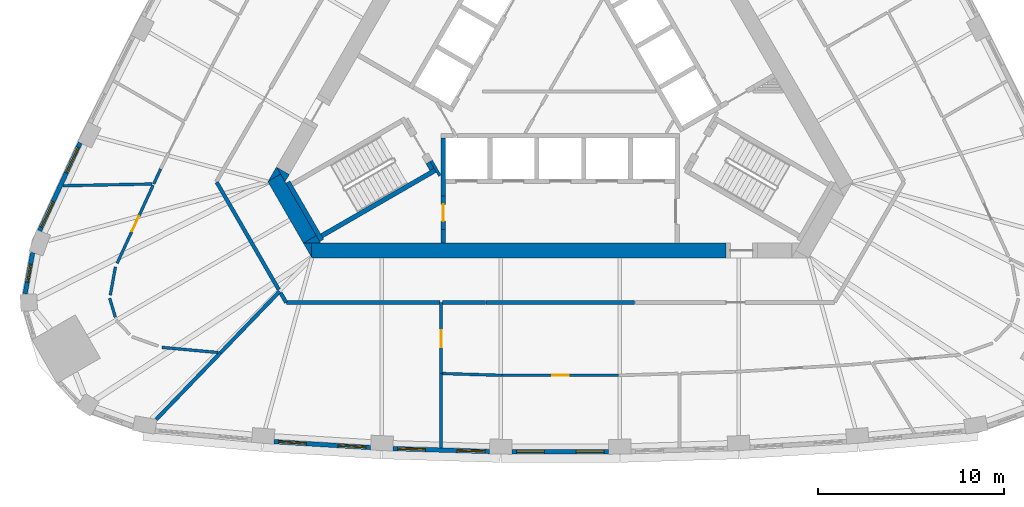
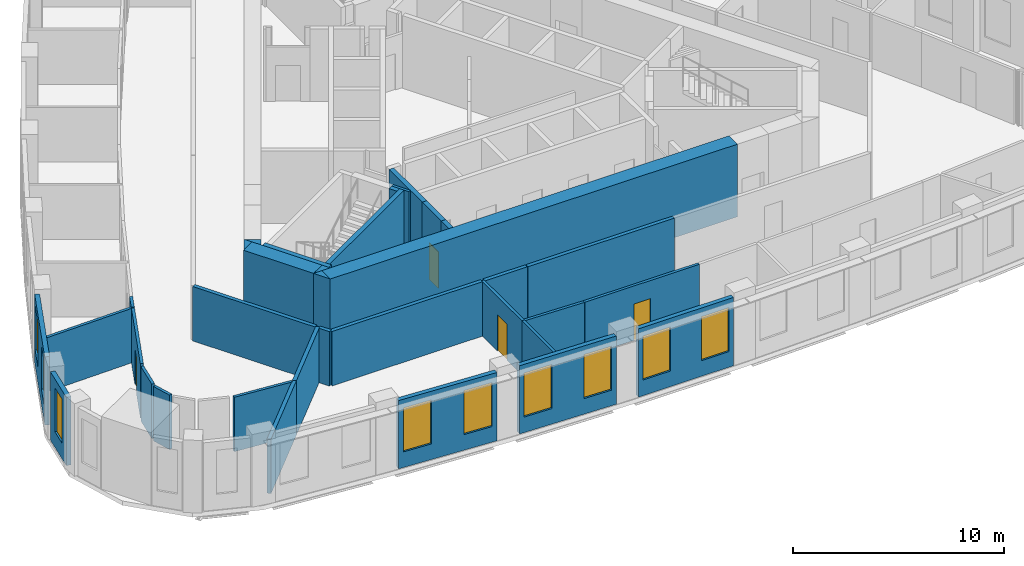
# One storey, part 3 of 11: 35 walls, 9 windows, 4 doors, 13 openings.
"""IFC4 building model written with IfcOpenShell, lengths in metres."""

from ifc_helpers import new_model, si_unit, direction, frame, frame_2d, origin, place, context, subcontext, project, spatial, polyline, rectangle, outline, extrude, material, layer, layer_set, type_object, element, fill, save


model = new_model("IFC4")

# Units and contexts
model_context = context("Model", 3, precision=1e-05, world=origin(), true_north=direction((0.0, 1.0)))
body_context = subcontext(model_context, "Body", "Model", "MODEL_VIEW")
ifc_project = project(units=[si_unit("LENGTHUNIT", "METRE"), si_unit("AREAUNIT", "SQUARE_METRE"), si_unit("VOLUMEUNIT", "CUBIC_METRE"), si_unit("PLANEANGLEUNIT", "RADIAN"), si_unit("MASSUNIT", "GRAM", prefix="KILO")], contexts=[model_context])

# Site, building, storey
site_placement = place(None, origin())
site = spatial("IfcSite", under=ifc_project, at=site_placement, CompositionType="ELEMENT")
building_placement = place(site_placement, origin())
building = spatial("IfcBuilding", under=site, at=building_placement, Name="Mestral Congress Tower", CompositionType="ELEMENT")
storey_placement = place(building_placement, frame((0.0, 0.0, 166.800048828125)))
storey = spatial("IfcBuildingStorey", under=building, at=storey_placement, Name="L39", CompositionType="ELEMENT", Elevation=166.800048828125)

# Walls
ifc_material_1 = material(Name="Concrete C60/75", Category="concrete")
ifc_layer_1 = layer(ifc_material_1, 0.800048828125)
ifc_layer_set_1 = layer_set([ifc_layer_1], Name="Concrete C60/75")
wall_type_1 = type_object("IfcWallType", Name="Core wall RC 800", PredefinedType="SOLIDWALL", material=ifc_layer_set_1)
wall_1_placement = place(storey_placement, frame((-13.377685546875, -10.050048828125, 0.0), z_axis=(0.0, 0.0, 1.0), x_axis=(1.0, 0.0, 0.0)))
element("IfcWall", 1, at=wall_1_placement, inside=storey, type_object=wall_type_1, Name="L39 core wall", PredefinedType="SOLIDWALL", context=body_context, shape_type="SweptSolid", body=[
    extrude(rectangle(XDim=22.281982421875, YDim=0.800048828125, at=frame_2d((11.14111328125, 0.0))), origin(), (0.0, 0.0, 1.0), 4.199951171875),
])
placement = place(storey_placement, origin())
element("IfcWall", 2, at=placement, inside=storey, type_object=wall_type_1, Name="L39 core wall", PredefinedType="SOLIDWALL", context=body_context, shape_type="SweptSolid", body=[
    extrude(outline(polyline([(-13.82763671875, -9.64990234375), (-13.379638671875, -9.64990234375), (-13.379638671875, -10.42578125), (-13.82763671875, -9.64990234375)])), origin(), (0.0, 0.0, 1.0), 4.199951171875),
])
wall_3_placement = place(storey_placement, frame((-15.392333984375, -6.1396484375, 0.0), z_axis=(0.0, 0.0, 1.0), x_axis=(0.499984020225, -0.866034629516, 0.0)))
element("IfcWall", 3, at=wall_3_placement, inside=storey, type_object=wall_type_1, Name="L39 core wall", PredefinedType="SOLIDWALL", context=body_context, shape_type="SweptSolid", body=[
    extrude(rectangle(XDim=3.824462890625, YDim=0.800048828125, at=frame_2d((1.912109375, 0.0))), origin(), (0.0, 0.0, 1.0), 4.199951171875),
])
element("IfcWall", 4, at=placement, inside=storey, type_object=wall_type_1, Name="L39 core wall", PredefinedType="SOLIDWALL", context=body_context, shape_type="SweptSolid", body=[
    extrude(outline(polyline([(-15.046875, -5.93798828125), (-15.718994140625, -6.325927734375), (-15.27099609375, -5.550048828125), (-15.046875, -5.93798828125)])), origin(), (0.0, 0.0, 1.0), 4.199951171875),
])
element("IfcWall", 5, at=placement, inside=storey, type_object=wall_type_1, Name="L39 core wall", PredefinedType="SOLIDWALL", context=body_context, shape_type="SweptSolid", body=[
    extrude(outline(polyline([(-12.90380859375, -9.64990234375), (-13.81982421875, -9.64990234375), (-13.1328125, -9.25341796875), (-12.90380859375, -9.64990234375)])), origin(), (0.0, 0.0, 1.0), 4.199951171875),
])
element("IfcWall", 6, at=placement, inside=storey, type_object=wall_type_1, Name="L39 core wall", PredefinedType="SOLIDWALL", context=body_context, shape_type="SweptSolid", body=[
    extrude(outline(polyline([(-14.80908203125, -6.35009765625), (-15.257080078125, -5.573974609375), (-14.5849609375, -5.9619140625), (-14.80908203125, -6.35009765625)])), origin(), (0.0, 0.0, 1.0), 4.199951171875),
])

# Wall, openings, windows
ifc_material_2 = material(Name="Precast concrete C40/50 with limestone facing", Category="masonry")
ifc_layer_2 = layer(ifc_material_2, 0.239990234375)
ifc_layer_set_2 = layer_set([ifc_layer_2], Name="Precast concrete C40/50 with limestone facing")
wall_type_2 = type_object("IfcWallType", Name="Facade stone wall 240", PredefinedType="SOLIDWALL", material=ifc_layer_set_2)
wall_7_placement = place(storey_placement, frame((-15.404541015625, -20.33837890625, 0.0), z_axis=(0.0, 0.0, 1.0), x_axis=(0.998135294646, -0.061040425794, 0.0)))
wall_7 = element("IfcWall", 7, at=wall_7_placement, inside=storey, type_object=wall_type_2, Name="Facade wall F0-01", PredefinedType="SOLIDWALL", context=body_context, shape_type="SweptSolid", body=[
    extrude(rectangle(XDim=5.20361328125, YDim=0.239990234375, at=frame_2d((2.601806640625, 0.0))), origin(), (0.0, 0.0, 1.0), 3.949951171875),
])
opening_1_placement = place(wall_7_placement, frame((0.248291015625, 0.0, 0.89990234375)))
opening_1 = element("IfcOpeningElement", 8, at=opening_1_placement, cuts=wall_7, Name="Opening W4", PredefinedType="OPENING", context=body_context, shape_type="SweptSolid", body=[
    extrude(rectangle(XDim=1.5, YDim=2.550048828125, at=frame_2d((0.75, 1.27490234375))), frame((0.0, 0.1298828125, 0.0), z_axis=(0.0, -1.0, 0.0), x_axis=(1.0, 0.0, 0.0)), (0.0, 0.0, 1.0), 0.260009765625),
])
opening_2_placement = place(wall_7_placement, frame((3.455078125, 0.0, 0.89990234375)))
opening_2 = element("IfcOpeningElement", 9, at=opening_2_placement, cuts=wall_7, Name="Opening W4", PredefinedType="OPENING", context=body_context, shape_type="SweptSolid", body=[
    extrude(rectangle(XDim=1.5, YDim=2.550048828125, at=frame_2d((0.75, 1.27490234375))), frame((0.0, 0.1298828125, 0.0), z_axis=(0.0, -1.0, 0.0), x_axis=(1.0, 0.0, 0.0)), (0.0, 0.0, 1.0), 0.260009765625),
])
ifc_material_3 = material(Name="Clear low-emissivity double glazing", Category="glass")
window_type_1 = type_object("IfcWindowType", Name="Facade punched window 1500 x 2550 sill 900", PartitioningType="SINGLE_PANEL", PredefinedType="WINDOW", material=ifc_material_3)
window_1_placement = place(opening_1_placement, origin())
window_1 = element("IfcWindow", 10, at=window_1_placement, inside=storey, type_object=window_type_1, Name="Window F0-01a", OverallHeight=2.550048828125, OverallWidth=1.5, PartitioningType="SINGLE_PANEL", PredefinedType="WINDOW", context=body_context, shape_type="SweptSolid", body=[
    extrude(rectangle(XDim=1.5, YDim=2.550048828125, at=frame_2d((0.75, 1.27490234375))), frame((0.0, 0.0400390625, 0.0), z_axis=(0.0, -1.0, 0.0), x_axis=(1.0, 0.0, 0.0)), (0.0, 0.0, 1.0), 0.06005859375),
])
fill(opening_1, window_1)
window_2_placement = place(opening_2_placement, origin())
window_2 = element("IfcWindow", 11, at=window_2_placement, inside=storey, type_object=window_type_1, Name="Window F0-01b", OverallHeight=2.550048828125, OverallWidth=1.5, PartitioningType="SINGLE_PANEL", PredefinedType="WINDOW", context=body_context, shape_type="SweptSolid", body=[
    extrude(rectangle(XDim=1.5, YDim=2.550048828125, at=frame_2d((0.75, 1.27490234375))), frame((0.0, 0.0400390625, 0.0), z_axis=(0.0, -1.0, 0.0), x_axis=(1.0, 0.0, 0.0)), (0.0, 0.0, 1.0), 0.06005859375),
])
fill(opening_2, window_2)

wall_8_placement = place(storey_placement, frame((-9.00732421875, -20.7109375, 0.0), z_axis=(0.0, 0.0, 1.0), x_axis=(0.999533441983, -0.030543384845, 0.0)))
wall_8 = element("IfcWall", 12, at=wall_8_placement, inside=storey, type_object=wall_type_2, Name="Facade wall F0-02", PredefinedType="SOLIDWALL", context=body_context, shape_type="SweptSolid", body=[
    extrude(rectangle(XDim=5.20361328125, YDim=0.239990234375, at=frame_2d((2.601806640625, 0.0))), origin(), (0.0, 0.0, 1.0), 3.949951171875),
])
opening_3_placement = place(wall_8_placement, frame((0.248291015625, 0.0, 0.89990234375)))
opening_3 = element("IfcOpeningElement", 13, at=opening_3_placement, cuts=wall_8, Name="Opening W4", PredefinedType="OPENING", context=body_context, shape_type="SweptSolid", body=[
    extrude(rectangle(XDim=1.5, YDim=2.550048828125, at=frame_2d((0.75, 1.27490234375))), frame((0.0, 0.1298828125, 0.0), z_axis=(0.0, -1.0, 0.0), x_axis=(1.0, 0.0, 0.0)), (0.0, 0.0, 1.0), 0.260009765625),
])
opening_4_placement = place(wall_8_placement, frame((3.455078125, 0.0, 0.89990234375)))
opening_4 = element("IfcOpeningElement", 14, at=opening_4_placement, cuts=wall_8, Name="Opening W4", PredefinedType="OPENING", context=body_context, shape_type="SweptSolid", body=[
    extrude(rectangle(XDim=1.5, YDim=2.550048828125, at=frame_2d((0.75, 1.27490234375))), frame((0.0, 0.1298828125, 0.0), z_axis=(0.0, -1.0, 0.0), x_axis=(1.0, 0.0, 0.0)), (0.0, 0.0, 1.0), 0.260009765625),
])
window_3_placement = place(opening_3_placement, origin())
window_3 = element("IfcWindow", 15, at=window_3_placement, inside=storey, type_object=window_type_1, Name="Window F0-02a", OverallHeight=2.550048828125, OverallWidth=1.5, PartitioningType="SINGLE_PANEL", PredefinedType="WINDOW", context=body_context, shape_type="SweptSolid", body=[
    extrude(rectangle(XDim=1.5, YDim=2.550048828125, at=frame_2d((0.75, 1.27490234375))), frame((0.0, 0.0400390625, 0.0), z_axis=(0.0, -1.0, 0.0), x_axis=(1.0, 0.0, 0.0)), (0.0, 0.0, 1.0), 0.06005859375),
])
fill(opening_3, window_3)
window_4_placement = place(opening_4_placement, origin())
window_4 = element("IfcWindow", 16, at=window_4_placement, inside=storey, type_object=window_type_1, Name="Window F0-02b", OverallHeight=2.550048828125, OverallWidth=1.5, PartitioningType="SINGLE_PANEL", PredefinedType="WINDOW", context=body_context, shape_type="SweptSolid", body=[
    extrude(rectangle(XDim=1.5, YDim=2.550048828125, at=frame_2d((0.75, 1.27490234375))), frame((0.0, 0.0400390625, 0.0), z_axis=(0.0, -1.0, 0.0), x_axis=(1.0, 0.0, 0.0)), (0.0, 0.0, 1.0), 0.06005859375),
])
fill(opening_4, window_4)

wall_9_placement = place(storey_placement, frame((-2.601806640625, -20.88818359375, 0.0), z_axis=(0.0, 0.0, 1.0), x_axis=(1.0, 0.0, 0.0)))
wall_9 = element("IfcWall", 17, at=wall_9_placement, inside=storey, type_object=wall_type_2, Name="Facade wall F0-03", PredefinedType="SOLIDWALL", context=body_context, shape_type="SweptSolid", body=[
    extrude(rectangle(XDim=5.20361328125, YDim=0.239990234375, at=frame_2d((2.601806640625, 0.0))), origin(), (0.0, 0.0, 1.0), 3.949951171875),
])
opening_5_placement = place(wall_9_placement, frame((0.248291015625, 0.0, 0.89990234375)))
opening_5 = element("IfcOpeningElement", 18, at=opening_5_placement, cuts=wall_9, Name="Opening W4", PredefinedType="OPENING", context=body_context, shape_type="SweptSolid", body=[
    extrude(rectangle(XDim=1.5, YDim=2.550048828125, at=frame_2d((0.75, 1.27490234375))), frame((0.0, 0.1298828125, 0.0), z_axis=(0.0, -1.0, 0.0), x_axis=(1.0, 0.0, 0.0)), (0.0, 0.0, 1.0), 0.260009765625),
])
opening_6_placement = place(wall_9_placement, frame((3.455078125, 0.0, 0.89990234375)))
opening_6 = element("IfcOpeningElement", 19, at=opening_6_placement, cuts=wall_9, Name="Opening W4", PredefinedType="OPENING", context=body_context, shape_type="SweptSolid", body=[
    extrude(rectangle(XDim=1.5, YDim=2.550048828125, at=frame_2d((0.75, 1.27490234375))), frame((0.0, 0.1298828125, 0.0), z_axis=(0.0, -1.0, 0.0), x_axis=(1.0, 0.0, 0.0)), (0.0, 0.0, 1.0), 0.260009765625),
])
window_5_placement = place(opening_5_placement, origin())
window_5 = element("IfcWindow", 20, at=window_5_placement, inside=storey, type_object=window_type_1, Name="Window F0-03a", OverallHeight=2.550048828125, OverallWidth=1.5, PartitioningType="SINGLE_PANEL", PredefinedType="WINDOW", context=body_context, shape_type="SweptSolid", body=[
    extrude(rectangle(XDim=1.5, YDim=2.550048828125, at=frame_2d((0.75, 1.27490234375))), frame((0.0, 0.0400390625, 0.0), z_axis=(0.0, -1.0, 0.0), x_axis=(1.0, 0.0, 0.0)), (0.0, 0.0, 1.0), 0.06005859375),
])
fill(opening_5, window_5)
window_6_placement = place(opening_6_placement, origin())
window_6 = element("IfcWindow", 21, at=window_6_placement, inside=storey, type_object=window_type_1, Name="Window F0-03b", OverallHeight=2.550048828125, OverallWidth=1.5, PartitioningType="SINGLE_PANEL", PredefinedType="WINDOW", context=body_context, shape_type="SweptSolid", body=[
    extrude(rectangle(XDim=1.5, YDim=2.550048828125, at=frame_2d((0.75, 1.27490234375))), frame((0.0, 0.0400390625, 0.0), z_axis=(0.0, -1.0, 0.0), x_axis=(1.0, 0.0, 0.0)), (0.0, 0.0, 1.0), 0.06005859375),
])
fill(opening_6, window_6)

wall_10_placement = place(storey_placement, frame((-25.8369140625, -4.2578125, 0.0), z_axis=(0.0, 0.0, 1.0), x_axis=(-0.418722559465, -0.908114209885, 0.0)))
wall_10 = element("IfcWall", 22, at=wall_10_placement, inside=storey, type_object=wall_type_2, Name="Facade wall F2-06", PredefinedType="SOLIDWALL", context=body_context, shape_type="SweptSolid", body=[
    extrude(rectangle(XDim=5.213134765625, YDim=0.239990234375, at=frame_2d((2.6064453125, 0.0))), origin(), (0.0, 0.0, 1.0), 3.949951171875),
])
opening_7_placement = place(wall_10_placement, frame((0.2607421875, 0.0, 0.89990234375)))
opening_7 = element("IfcOpeningElement", 23, at=opening_7_placement, cuts=wall_10, Name="Opening W4", PredefinedType="OPENING", context=body_context, shape_type="SweptSolid", body=[
    extrude(rectangle(XDim=1.5, YDim=2.550048828125, at=frame_2d((0.75, 1.27490234375))), frame((0.0, 0.1298828125, 0.0), z_axis=(0.0, -1.0, 0.0), x_axis=(1.0, 0.0, 0.0)), (0.0, 0.0, 1.0), 0.260009765625),
])
opening_8_placement = place(wall_10_placement, frame((3.492431640625, 0.0, 0.89990234375)))
opening_8 = element("IfcOpeningElement", 24, at=opening_8_placement, cuts=wall_10, Name="Opening W4", PredefinedType="OPENING", context=body_context, shape_type="SweptSolid", body=[
    extrude(rectangle(XDim=1.5, YDim=2.550048828125, at=frame_2d((0.75, 1.27490234375))), frame((0.0, 0.1298828125, 0.0), z_axis=(0.0, -1.0, 0.0), x_axis=(1.0, 0.0, 0.0)), (0.0, 0.0, 1.0), 0.260009765625),
])
window_7_placement = place(opening_7_placement, origin())
window_7 = element("IfcWindow", 25, at=window_7_placement, inside=storey, type_object=window_type_1, Name="Window F2-06a", OverallHeight=2.550048828125, OverallWidth=1.5, PartitioningType="SINGLE_PANEL", PredefinedType="WINDOW", context=body_context, shape_type="SweptSolid", body=[
    extrude(rectangle(XDim=1.5, YDim=2.550048828125, at=frame_2d((0.75, 1.27490234375))), frame((0.0, 0.0400390625, 0.0), z_axis=(0.0, -1.0, 0.0), x_axis=(1.0, 0.0, 0.0)), (0.0, 0.0, 1.0), 0.06005859375),
])
fill(opening_7, window_7)
window_8_placement = place(opening_8_placement, origin())
window_8 = element("IfcWindow", 26, at=window_8_placement, inside=storey, type_object=window_type_1, Name="Window F2-06b", OverallHeight=2.550048828125, OverallWidth=1.5, PartitioningType="SINGLE_PANEL", PredefinedType="WINDOW", context=body_context, shape_type="SweptSolid", body=[
    extrude(rectangle(XDim=1.5, YDim=2.550048828125, at=frame_2d((0.75, 1.27490234375))), frame((0.0, 0.0400390625, 0.0), z_axis=(0.0, -1.0, 0.0), x_axis=(1.0, 0.0, 0.0)), (0.0, 0.0, 1.0), 0.06005859375),
])
fill(opening_8, window_8)

# Wall, opening, window
wall_11_placement = place(storey_placement, frame((-28.392578125, -10.166748046875, 0.0), z_axis=(0.0, 0.0, 1.0), x_axis=(-0.180737189259, -0.983531427265, 0.0)))
wall_11 = element("IfcWall", 27, at=wall_11_placement, inside=storey, type_object=wall_type_2, Name="Facade wall K2-0", PredefinedType="SOLIDWALL", context=body_context, shape_type="SweptSolid", body=[
    extrude(rectangle(XDim=2.25048828125, YDim=0.239990234375, at=frame_2d((1.125244140625, 0.0))), origin(), (0.0, 0.0, 1.0), 3.949951171875),
])
opening_9_placement = place(wall_11_placement, frame((0.625244140625, 0.0, 0.89990234375)))
opening_9 = element("IfcOpeningElement", 28, at=opening_9_placement, cuts=wall_11, Name="Opening W5", PredefinedType="OPENING", context=body_context, shape_type="SweptSolid", body=[
    extrude(rectangle(XDim=1.0, YDim=2.550048828125, at=frame_2d((0.5, 1.27490234375))), frame((0.0, 0.1298828125, 0.0), z_axis=(0.0, -1.0, 0.0), x_axis=(1.0, 0.0, 0.0)), (0.0, 0.0, 1.0), 0.260009765625),
])
window_type_2 = type_object("IfcWindowType", Name="Facade punched window 1000 x 2550 sill 900", PartitioningType="SINGLE_PANEL", PredefinedType="WINDOW", material=ifc_material_3)
window_9_placement = place(opening_9_placement, origin())
window_9 = element("IfcWindow", 29, at=window_9_placement, inside=storey, type_object=window_type_2, Name="Window K2-0", OverallHeight=2.550048828125, OverallWidth=1.0, PartitioningType="SINGLE_PANEL", PredefinedType="WINDOW", context=body_context, shape_type="SweptSolid", body=[
    extrude(rectangle(XDim=1.0, YDim=2.550048828125, at=frame_2d((0.5, 1.27490234375))), frame((0.0, 0.0400390625, 0.0), z_axis=(0.0, -1.0, 0.0), x_axis=(1.0, 0.0, 0.0)), (0.0, 0.0, 1.0), 0.06005859375),
])
fill(opening_9, window_9)

# Wall
ifc_material_4 = material(Name="Plasterboard partition on steel studs", Category="steel")
ifc_layer_3 = layer(ifc_material_4, 0.14990234375)
ifc_layer_set_3 = layer_set([ifc_layer_3], Name="Plasterboard partition on steel studs")
wall_type_3 = type_object("IfcWallType", Name="Office partition 150", PredefinedType="PARTITIONING", material=ifc_layer_set_3)
wall_12_placement = place(storey_placement, frame((-6.412109375, -16.664306640625, 0.0), z_axis=(0.0, 0.0, 1.0), x_axis=(0.0, -1.0, 0.0)))
element("IfcWall", 30, at=wall_12_placement, inside=storey, type_object=wall_type_3, Name="Partition", PredefinedType="PARTITIONING", context=body_context, shape_type="SweptSolid", body=[
    extrude(rectangle(XDim=4.005859375, YDim=0.14990234375, at=frame_2d((2.0029296875, 0.0))), origin(), (0.0, 0.0, 1.0), 3.14990234375),
])

# Wall, opening, door
wall_13_placement = place(storey_placement, frame((-6.412109375, -16.67236328125, 0.0), z_axis=(0.0, 0.0, 1.0), x_axis=(0.0, 1.0, 0.0)))
wall_13 = element("IfcWall", 31, at=wall_13_placement, inside=storey, type_object=wall_type_3, Name="Partition", PredefinedType="PARTITIONING", context=body_context, shape_type="SweptSolid", body=[
    extrude(rectangle(XDim=3.822265625, YDim=0.14990234375, at=frame_2d((1.9111328125, 0.0))), origin(), (0.0, 0.0, 1.0), 3.14990234375),
])
opening_10_placement = place(wall_13_placement, frame((1.42236328125, 0.0, 0.0)))
opening_10 = element("IfcOpeningElement", 32, at=opening_10_placement, cuts=wall_13, Name="Opening O03-001", PredefinedType="OPENING", context=body_context, shape_type="SweptSolid", body=[
    extrude(rectangle(XDim=0.89990234375, YDim=2.10009765625, at=frame_2d((0.449951171875, 1.050048828125))), frame((0.0, 0.0849609375, 0.0), z_axis=(0.0, -1.0, 0.0), x_axis=(1.0, 0.0, 0.0)), (0.0, 0.0, 1.0), 0.169921875),
])
ifc_material_5 = material(Name="Timber door set", Category="wood")
door_type_1 = type_object("IfcDoorType", Name="Office door 900x2100", OperationType="SINGLE_SWING_LEFT", PredefinedType="DOOR", material=ifc_material_5)
door_1_placement = place(opening_10_placement, origin())
door_1 = element("IfcDoor", 33, at=door_1_placement, inside=storey, type_object=door_type_1, Name="Door O03-001", OperationType="SINGLE_SWING_LEFT", OverallHeight=2.10009765625, OverallWidth=0.89990234375, PredefinedType="DOOR", context=body_context, shape_type="SweptSolid", body=[
    extrude(rectangle(XDim=0.89990234375, YDim=2.10009765625, at=frame_2d((0.449951171875, 1.050048828125))), frame((0.0, 0.02490234375, 0.0), z_axis=(0.0, -1.0, 0.0), x_axis=(1.0, 0.0, 0.0)), (0.0, 0.0, 1.0), 0.050048828125),
])
fill(opening_10, door_1)

# Wall
wall_14_placement = place(storey_placement, frame((-6.3369140625, -16.670654296875, 0.0), z_axis=(0.0, 0.0, 1.0), x_axis=(0.999533369646, -0.030545751995, 0.0)))
element("IfcWall", 34, at=wall_14_placement, inside=storey, type_object=wall_type_3, Name="Partition", PredefinedType="PARTITIONING", context=body_context, shape_type="SweptSolid", body=[
    extrude(rectangle(XDim=3.197021484375, YDim=0.14990234375, at=frame_2d((1.5986328125, 0.0))), origin(), (0.0, 0.0, 1.0), 3.14990234375),
])

# Wall, opening, door
wall_15_placement = place(storey_placement, frame((3.141357421875, -16.768310546875, 0.0), z_axis=(0.0, 0.0, 1.0), x_axis=(-1.0, 0.0, 0.0)))
wall_15 = element("IfcWall", 35, at=wall_15_placement, inside=storey, type_object=wall_type_3, Name="Partition", PredefinedType="PARTITIONING", context=body_context, shape_type="SweptSolid", body=[
    extrude(rectangle(XDim=6.28271484375, YDim=0.14990234375, at=frame_2d((3.141357421875, 0.0))), origin(), (0.0, 0.0, 1.0), 3.14990234375),
])
opening_11_placement = place(wall_15_placement, frame((2.6826171875, 0.0, 0.0)))
opening_11 = element("IfcOpeningElement", 36, at=opening_11_placement, cuts=wall_15, Name="Opening O03-002", PredefinedType="OPENING", context=body_context, shape_type="SweptSolid", body=[
    extrude(rectangle(XDim=0.89990234375, YDim=2.10009765625, at=frame_2d((0.449951171875, 1.050048828125))), frame((0.0, 0.0849609375, 0.0), z_axis=(0.0, -1.0, 0.0), x_axis=(1.0, 0.0, 0.0)), (0.0, 0.0, 1.0), 0.169921875),
])
door_2_placement = place(opening_11_placement, origin())
door_2 = element("IfcDoor", 37, at=door_2_placement, inside=storey, type_object=door_type_1, Name="Door O03-002", OperationType="SINGLE_SWING_LEFT", OverallHeight=2.10009765625, OverallWidth=0.89990234375, PredefinedType="DOOR", context=body_context, shape_type="SweptSolid", body=[
    extrude(rectangle(XDim=0.89990234375, YDim=2.10009765625, at=frame_2d((0.449951171875, 1.050048828125))), frame((0.0, 0.02490234375, 0.0), z_axis=(0.0, -1.0, 0.0), x_axis=(1.0, 0.0, 0.0)), (0.0, 0.0, 1.0), 0.050048828125),
])
fill(opening_11, door_2)

# Walls
wall_16_placement = place(storey_placement, frame((-21.5087890625, -5.666015625, 0.0), z_axis=(0.0, 0.0, 1.0), x_axis=(-0.4188658149, -0.908048142506, 0.0)))
element("IfcWall", 38, at=wall_16_placement, inside=storey, type_object=wall_type_3, Name="Partition", PredefinedType="PARTITIONING", context=body_context, shape_type="SweptSolid", body=[
    extrude(rectangle(XDim=0.88525390625, YDim=0.14990234375, at=frame_2d((0.442626953125, 0.0))), origin(), (0.0, 0.0, 1.0), 3.14990234375),
])
wall_17_placement = place(storey_placement, frame((-21.962890625, -6.4716796875, 0.0), z_axis=(0.0, 0.0, 1.0), x_axis=(-0.999809788098, -0.019503528505, 0.0)))
element("IfcWall", 39, at=wall_17_placement, inside=storey, type_object=wall_type_3, Name="Partition", PredefinedType="PARTITIONING", context=body_context, shape_type="SweptSolid", body=[
    extrude(rectangle(XDim=4.806884765625, YDim=0.14990234375, at=frame_2d((2.4033203125, 0.0))), origin(), (0.0, 0.0, 1.0), 3.14990234375),
])
wall_18_placement = place(storey_placement, frame((-18.412109375, -15.54150390625, 0.0), z_axis=(0.0, 0.0, 1.0), x_axis=(-0.995812481052, 0.091419377496, 0.0)))
element("IfcWall", 40, at=wall_18_placement, inside=storey, type_object=wall_type_3, Name="Partition", PredefinedType="PARTITIONING", context=body_context, shape_type="SweptSolid", body=[
    extrude(rectangle(XDim=3.0390625, YDim=0.14990234375, at=frame_2d((1.51953125, 0.0))), origin(), (0.0, 0.0, 1.0), 3.14990234375),
])
wall_19_placement = place(storey_placement, frame((-23.944580078125, -13.638427734375, 0.0), z_axis=(0.0, 0.0, 1.0), x_axis=(-0.284463225945, 0.9586869526, 0.0)))
element("IfcWall", 41, at=wall_19_placement, inside=storey, type_object=wall_type_3, Name="Partition", PredefinedType="PARTITIONING", context=body_context, shape_type="SweptSolid", body=[
    extrude(rectangle(XDim=1.064208984375, YDim=0.14990234375, at=frame_2d((0.5322265625, 0.0))), origin(), (0.0, 0.0, 1.0), 3.14990234375),
])
wall_20_placement = place(storey_placement, frame((-24.21728515625, -12.455078125, 0.0), z_axis=(0.0, 0.0, 1.0), x_axis=(0.180635934027, 0.983550028894, 0.0)))
element("IfcWall", 42, at=wall_20_placement, inside=storey, type_object=wall_type_3, Name="Partition", PredefinedType="PARTITIONING", context=body_context, shape_type="SweptSolid", body=[
    extrude(rectangle(XDim=1.546142578125, YDim=0.14990234375, at=frame_2d((0.77294921875, 0.0))), origin(), (0.0, 0.0, 1.0), 3.14990234375),
])

# Wall, opening, door
wall_21_placement = place(storey_placement, frame((-23.848388671875, -10.73974609375, 0.0), z_axis=(0.0, 0.0, 1.0), x_axis=(0.418723219841, 0.908113905392, 0.0)))
wall_21 = element("IfcWall", 43, at=wall_21_placement, inside=storey, type_object=wall_type_3, Name="Partition", PredefinedType="PARTITIONING", context=body_context, shape_type="SweptSolid", body=[
    extrude(rectangle(XDim=4.62255859375, YDim=0.14990234375, at=frame_2d((2.311279296875, 0.0))), origin(), (0.0, 0.0, 1.0), 3.14990234375),
])
opening_12_placement = place(wall_21_placement, frame((1.89990234375, 0.0, 0.0)))
opening_12 = element("IfcOpeningElement", 44, at=opening_12_placement, cuts=wall_21, Name="Opening O03-021", PredefinedType="OPENING", context=body_context, shape_type="SweptSolid", body=[
    extrude(rectangle(XDim=0.89990234375, YDim=2.10009765625, at=frame_2d((0.449951171875, 1.050048828125))), frame((0.0, 0.0849609375, 0.0), z_axis=(0.0, -1.0, 0.0), x_axis=(1.0, 0.0, 0.0)), (0.0, 0.0, 1.0), 0.169921875),
])
door_3_placement = place(opening_12_placement, origin())
door_3 = element("IfcDoor", 45, at=door_3_placement, inside=storey, type_object=door_type_1, Name="Door O03-021", OperationType="SINGLE_SWING_RIGHT", OverallHeight=2.10009765625, OverallWidth=0.89990234375, PredefinedType="DOOR", context=body_context, shape_type="SweptSolid", body=[
    extrude(rectangle(XDim=0.89990234375, YDim=2.10009765625, at=frame_2d((0.449951171875, 1.050048828125))), frame((0.0, 0.02490234375, 0.0), z_axis=(0.0, -1.0, 0.0), x_axis=(1.0, 0.0, 0.0)), (0.0, 0.0, 1.0), 0.050048828125),
])
fill(opening_12, door_3)

# Walls
ifc_material_6 = material(Name="Dense masonry wall, plastered", Category="masonry")
ifc_layer_4 = layer(ifc_material_6, 0.199951171875)
ifc_layer_set_4 = layer_set([ifc_layer_4], Name="Dense masonry wall, plastered")
wall_type_4 = type_object("IfcWallType", Name="Office tenancy wall 200", PredefinedType="PARTITIONING", material=ifc_layer_set_4)
wall_22_placement = place(storey_placement, frame((-18.2880859375, -15.55712890625, 0.0), z_axis=(0.0, 0.0, 1.0), x_axis=(0.693944823318, 0.720028181525, 0.0)))
element("IfcWall", 46, at=wall_22_placement, inside=storey, type_object=wall_type_4, Name="Tenancy wall", PredefinedType="PARTITIONING", context=body_context, shape_type="SweptSolid", body=[
    extrude(rectangle(XDim=4.595703125, YDim=0.199951171875, at=frame_2d((2.2978515625, 0.0))), origin(), (0.0, 0.0, 1.0), 3.14990234375),
])
wall_23_placement = place(storey_placement, frame((-21.741943359375, -19.140380859375, 0.0), z_axis=(0.0, 0.0, 1.0), x_axis=(0.693986944276, 0.719987584042, 0.0)))
element("IfcWall", 47, at=wall_23_placement, inside=storey, type_object=wall_type_4, Name="Tenancy wall", PredefinedType="PARTITIONING", context=body_context, shape_type="SweptSolid", body=[
    extrude(rectangle(XDim=4.986083984375, YDim=0.199951171875, at=frame_2d((2.4931640625, 0.0))), origin(), (0.0, 0.0, 1.0), 3.14990234375),
])
wall_24_placement = place(storey_placement, frame((-15.046875, -12.338134765625, 0.0), z_axis=(0.0, 0.0, 1.0), x_axis=(0.500091824179, -0.865972382579, 0.0)))
element("IfcWall", 48, at=wall_24_placement, inside=storey, type_object=wall_type_4, Name="Tenancy wall", PredefinedType="PARTITIONING", context=body_context, shape_type="SweptSolid", body=[
    extrude(rectangle(XDim=0.59130859375, YDim=0.199951171875, at=frame_2d((0.295654296875, 0.0))), origin(), (0.0, 0.0, 1.0), 3.14990234375),
])
wall_25_placement = place(storey_placement, frame((-14.72119140625, -12.85009765625, 0.0), z_axis=(0.0, 0.0, 1.0), x_axis=(1.0, 0.0, 0.0)))
element("IfcWall", 49, at=wall_25_placement, inside=storey, type_object=wall_type_4, Name="Tenancy wall", PredefinedType="PARTITIONING", context=body_context, shape_type="SweptSolid", body=[
    extrude(rectangle(XDim=8.234130859375, YDim=0.199951171875, at=frame_2d((4.1171875, 0.0))), origin(), (0.0, 0.0, 1.0), 3.14990234375),
])
wall_26_placement = place(storey_placement, frame((-4.00390625, -12.85009765625, 0.0), z_axis=(0.0, 0.0, 1.0), x_axis=(1.0, 0.0, 0.0)))
element("IfcWall", 50, at=wall_26_placement, inside=storey, type_object=wall_type_4, Name="Tenancy wall", PredefinedType="PARTITIONING", context=body_context, shape_type="SweptSolid", body=[
    extrude(rectangle(XDim=8.0078125, YDim=0.199951171875, at=frame_2d((4.00390625, 0.0))), origin(), (0.0, 0.0, 1.0), 3.14990234375),
])
wall_27_placement = place(storey_placement, frame((-6.3369140625, -12.85009765625, 0.0), z_axis=(0.0, 0.0, 1.0), x_axis=(1.0, 0.0, 0.0)))
element("IfcWall", 51, at=wall_27_placement, inside=storey, type_object=wall_type_4, Name="Tenancy wall", PredefinedType="PARTITIONING", context=body_context, shape_type="SweptSolid", body=[
    extrude(rectangle(XDim=2.302978515625, YDim=0.199951171875, at=frame_2d((1.1513671875, 0.0))), origin(), (0.0, 0.0, 1.0), 3.14990234375),
])
wall_28_placement = place(storey_placement, frame((-18.489013671875, -6.3759765625, 0.0), z_axis=(0.0, 0.0, 1.0), x_axis=(0.499989401968, -0.866031522475, 0.0)))
element("IfcWall", 52, at=wall_28_placement, inside=storey, type_object=wall_type_4, Name="Tenancy wall", PredefinedType="PARTITIONING", context=body_context, shape_type="SweptSolid", body=[
    extrude(rectangle(XDim=6.676513671875, YDim=0.199951171875, at=frame_2d((3.33837890625, 0.0))), origin(), (0.0, 0.0, 1.0), 3.14990234375),
])
ifc_layer_5 = layer(ifc_material_1, 0.25)
ifc_layer_set_5 = layer_set([ifc_layer_5], Name="Concrete C60/75")
wall_type_5 = type_object("IfcWallType", Name="Shaft wall RC 250", PredefinedType="SOLIDWALL", material=ifc_layer_set_5)
wall_29_placement = place(storey_placement, frame((-6.300048828125, -8.9248046875, 0.0), z_axis=(0.0, 0.0, 1.0), x_axis=(0.0, -1.0, 0.0)))
element("IfcWall", 53, at=wall_29_placement, inside=storey, type_object=wall_type_5, Name="L39 core wall", PredefinedType="SOLIDWALL", context=body_context, shape_type="SweptSolid", body=[
    extrude(rectangle(XDim=0.72509765625, YDim=0.25, at=frame_2d((0.362548828125, 0.0))), origin(), (0.0, 0.0, 1.0), 4.199951171875),
])
wall_30_placement = place(storey_placement, frame((-6.300048828125, -7.12451171875, 0.0), z_axis=(0.0, 0.0, 1.0), x_axis=(0.0, 1.0, 0.0)))
element("IfcWall", 54, at=wall_30_placement, inside=storey, type_object=wall_type_5, Name="L39 core wall", PredefinedType="SOLIDWALL", context=body_context, shape_type="SweptSolid", body=[
    extrude(rectangle(XDim=3.12451171875, YDim=0.25, at=frame_2d((1.562255859375, 0.0))), origin(), (0.0, 0.0, 1.0), 4.199951171875),
])

# Wall, opening, door
wall_31_placement = place(storey_placement, frame((-6.300048828125, -7.12451171875, 0.0), z_axis=(0.0, 0.0, 1.0), x_axis=(0.0, -1.0, 0.0)))
wall_31 = element("IfcWall", 55, at=wall_31_placement, inside=storey, type_object=wall_type_5, Name="L39 door wall", PredefinedType="SOLIDWALL", context=body_context, shape_type="SweptSolid", body=[
    extrude(rectangle(XDim=1.800048828125, YDim=0.25, at=frame_2d((0.89990234375, 0.0))), origin(), (0.0, 0.0, 1.0), 4.199951171875),
])
opening_13_placement = place(wall_31_placement, frame((0.449951171875, 0.0, 0.0)))
opening_13 = element("IfcOpeningElement", 56, at=opening_13_placement, cuts=wall_31, Name="Opening TD3", PredefinedType="OPENING", context=body_context, shape_type="SweptSolid", body=[
    extrude(rectangle(XDim=0.89990234375, YDim=2.10009765625, at=frame_2d((0.449951171875, 1.050048828125))), frame((0.0, 0.135009765625, 0.0), z_axis=(0.0, -1.0, 0.0), x_axis=(1.0, 0.0, 0.0)), (0.0, 0.0, 1.0), 0.27001953125),
])
ifc_material_7 = material(Name="Fire-rated steel door set", Category="steel")
door_type_2 = type_object("IfcDoorType", Name="Core door SR 900x2100", OperationType="SINGLE_SWING_LEFT", PredefinedType="DOOR", material=ifc_material_7)
door_4_placement = place(opening_13_placement, origin())
door_4 = element("IfcDoor", 57, at=door_4_placement, inside=storey, type_object=door_type_2, Name="Door TD3", OperationType="SINGLE_SWING_LEFT", OverallHeight=2.10009765625, OverallWidth=0.89990234375, PredefinedType="DOOR", context=body_context, shape_type="SweptSolid", body=[
    extrude(rectangle(XDim=0.89990234375, YDim=2.10009765625, at=frame_2d((0.449951171875, 1.050048828125))), frame((0.0, 0.02490234375, 0.0), z_axis=(0.0, -1.0, 0.0), x_axis=(1.0, 0.0, 0.0)), (0.0, 0.0, 1.0), 0.050048828125),
])
fill(opening_13, door_4)

# Walls
ifc_layer_6 = layer(ifc_material_1, 0.14990234375)
ifc_layer_set_6 = layer_set([ifc_layer_6], Name="Concrete C60/75")
wall_type_6 = type_object("IfcWallType", Name="Shaft wall RC 250 door-wall 150", PredefinedType="SOLIDWALL", material=ifc_layer_set_6)
wall_32_placement = place(storey_placement, frame((-6.48046875, -6.026611328125, 0.0), z_axis=(0.0, 0.0, 1.0), x_axis=(-0.499927229454, 0.866067413802, 0.0)))
element("IfcWall", 58, at=wall_32_placement, inside=storey, type_object=wall_type_6, Name="L39 core wall", PredefinedType="PARTITIONING", context=body_context, shape_type="SweptSolid", body=[
    extrude(rectangle(XDim=0.928955078125, YDim=0.14990234375, at=frame_2d((0.46435546875, 0.0))), origin(), (0.0, 0.0, 1.0), 4.199951171875),
])
ifc_layer_7 = layer(ifc_material_1, 0.25)
ifc_layer_set_7 = layer_set([ifc_layer_7], Name="Concrete C60/75")
wall_type_7 = type_object("IfcWallType", Name="Stair wall RC 250", PredefinedType="SOLIDWALL", material=ifc_layer_set_7)
wall_33_placement = place(storey_placement, frame((-12.839599609375, -9.510986328125, 0.0), z_axis=(0.0, 0.0, 1.0), x_axis=(-0.499997733992, 0.866026712061, 0.0)))
element("IfcWall", 59, at=wall_33_placement, inside=storey, type_object=wall_type_7, Name="L39 core wall", PredefinedType="SOLIDWALL", context=body_context, shape_type="SweptSolid", body=[
    extrude(rectangle(XDim=3.6337890625, YDim=0.25, at=frame_2d((1.81689453125, 0.0))), origin(), (0.0, 0.0, 1.0), 4.199951171875),
])
wall_34_placement = place(storey_placement, frame((-12.83984375, -9.2607421875, 0.0), z_axis=(0.0, 0.0, 1.0), x_axis=(0.866016039709, 0.500016218704, 0.0)))
element("IfcWall", 60, at=wall_34_placement, inside=storey, type_object=wall_type_7, Name="L39 core wall", PredefinedType="SOLIDWALL", context=body_context, shape_type="SweptSolid", body=[
    extrude(rectangle(XDim=7.050048828125, YDim=0.25, at=frame_2d((3.52490234375, 0.0))), origin(), (0.0, 0.0, 1.0), 4.199951171875),
])
wall_35_placement = place(storey_placement, frame((-6.905029296875, -5.68994140625, 0.0), z_axis=(0.0, 0.0, 1.0), x_axis=(-0.500402024738, 0.865793170242, 0.0)))
element("IfcWall", 61, at=wall_35_placement, inside=storey, type_object=wall_type_7, Name="L39 core wall", PredefinedType="SOLIDWALL", context=body_context, shape_type="SweptSolid", body=[
    extrude(rectangle(XDim=0.425048828125, YDim=0.25, at=frame_2d((0.21240234375, 0.0))), origin(), (0.0, 0.0, 1.0), 4.199951171875),
])

save(model, "model.ifc")
